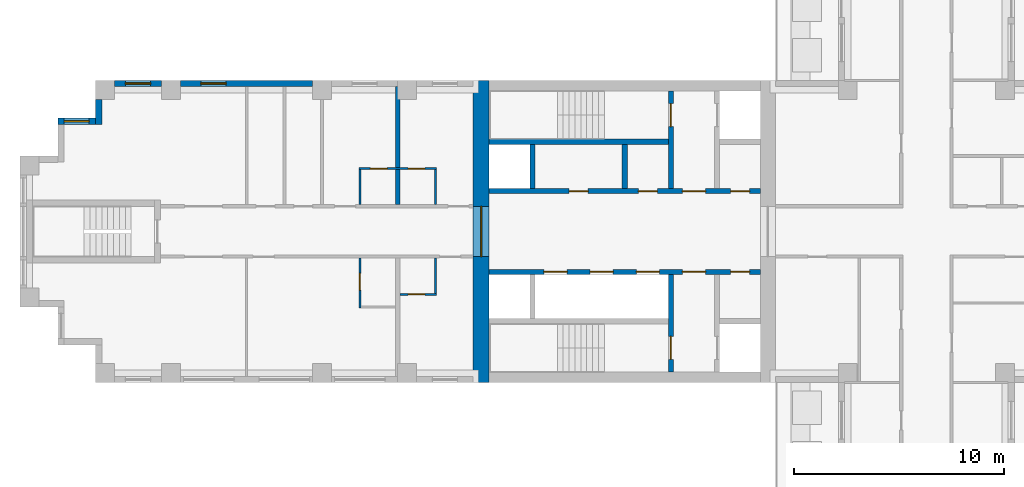
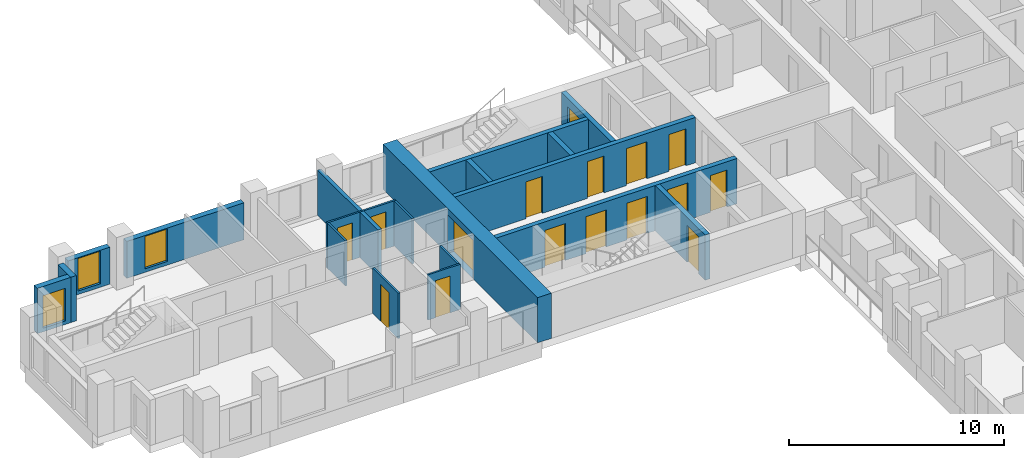
# One storey, part 6 of 15: 19 walls, 16 doors, 3 windows, 19 openings.
"""IFC4 building model written with IfcOpenShell, lengths in metres."""

from ifc_helpers import new_model, si_unit, direction, frame, frame_2d, origin, place, context, subcontext, project, spatial, rectangle, extrude, material, layer, layer_set, type_object, element, fill, save


model = new_model("IFC4")

# Units and contexts
model_context = context("Model", 3, precision=1e-05, world=origin(), true_north=direction((0.0, 1.0)))
body_context = subcontext(model_context, "Body", "Model", "MODEL_VIEW")
ifc_project = project(units=[si_unit("LENGTHUNIT", "METRE"), si_unit("AREAUNIT", "SQUARE_METRE"), si_unit("VOLUMEUNIT", "CUBIC_METRE"), si_unit("PLANEANGLEUNIT", "RADIAN"), si_unit("MASSUNIT", "GRAM", prefix="KILO")], contexts=[model_context])

# Site, building, storey
site_placement = place(None, origin())
site = spatial("IfcSite", under=ifc_project, at=site_placement, CompositionType="ELEMENT")
building_placement = place(site_placement, origin())
building = spatial("IfcBuilding", under=site, at=building_placement, Name="Fustian Cross Tower", CompositionType="ELEMENT")
storey_placement = place(building_placement, frame((0.0, 0.0, 47.699951171875)))
storey = spatial("IfcBuildingStorey", under=building, at=storey_placement, Name="L14", CompositionType="ELEMENT", Elevation=47.699951171875)

# Wall, opening, door
ifc_material_1 = material(Name="Concrete C80/95", Category="concrete")
ifc_layer_1 = layer(ifc_material_1, 0.75)
ifc_layer_set_1 = layer_set([ifc_layer_1], Name="Concrete C80/95")
wall_type_1 = type_object("IfcWallType", Name="CORE END WALL 750 C80/95", PredefinedType="SHEAR", material=ifc_layer_set_1)
wall_1_placement = place(storey_placement, frame((-21.22509765625, -7.199951171875, 0.0), z_axis=(0.0, 0.0, 1.0), x_axis=(0.0, 1.0, 0.0)))
wall_1 = element("IfcWall", 1, at=wall_1_placement, inside=storey, type_object=wall_type_1, Name="Core end wall", PredefinedType="SHEAR", context=body_context, shape_type="SweptSolid", body=[
    extrude(rectangle(XDim=14.39990234375, YDim=0.75, at=frame_2d((7.199951171875, 0.0))), origin(), (0.0, 0.0, 1.0), 2.574951171875),
])
opening_1_placement = place(wall_1_placement, frame((6.0, 0.0, 0.0)))
opening_1 = element("IfcOpeningElement", 2, at=opening_1_placement, cuts=wall_1, Name="Opening CD-05-28", PredefinedType="OPENING", context=body_context, shape_type="SweptSolid", body=[
    extrude(rectangle(XDim=2.39990234375, YDim=2.199951171875, at=frame_2d((1.199951171875, 1.10009765625))), frame((0.0, 0.385009765625, 0.0), z_axis=(0.0, -1.0, 0.0), x_axis=(1.0, 0.0, 0.0)), (0.0, 0.0, 1.0), 0.77001953125),
])
ifc_material_2 = material(Name="Steel", Category="steel")
door_type_1 = type_object("IfcDoorType", Name="FIRE DOOR FD30S DOUBLE 2400X2200", OperationType="DOUBLE_DOOR_DOUBLE_SWING", PredefinedType="DOOR", material=ifc_material_2)
door_1_placement = place(opening_1_placement, frame((2.39990234375, 0.0, 0.0), z_axis=(0.0, 0.0, 1.0), x_axis=(-1.0, 0.0, 0.0)))
door_1 = element("IfcDoor", 3, at=door_1_placement, inside=storey, type_object=door_type_1, Name="Core door CD-05-28", OperationType="DOUBLE_DOOR_DOUBLE_SWING", OverallHeight=2.199951171875, OverallWidth=2.39990234375, PredefinedType="DOOR", context=body_context, shape_type="SweptSolid", body=[
    extrude(rectangle(XDim=2.39990234375, YDim=2.199951171875, at=frame_2d((1.199951171875, 1.10009765625))), frame((0.0, 0.02490234375, 0.0), z_axis=(0.0, -1.0, 0.0), x_axis=(1.0, 0.0, 0.0)), (0.0, 0.0, 1.0), 0.050048828125),
])
fill(opening_1, door_1)

# Wall, openings, doors
ifc_material_3 = material(Name="Concrete C50/60", Category="concrete")
ifc_layer_2 = layer(ifc_material_3, 0.25)
ifc_layer_set_2 = layer_set([ifc_layer_2], Name="Concrete C50/60")
wall_type_2 = type_object("IfcWallType", Name="CORE LOBBY WALL 250 C50/60", PredefinedType="SHEAR", material=ifc_layer_set_2)
wall_2_placement = place(storey_placement, frame((-7.89990234375, 1.925048828125, 0.0), z_axis=(0.0, 0.0, 1.0), x_axis=(-1.0, 0.0, 0.0)))
wall_2 = element("IfcWall", 4, at=wall_2_placement, inside=storey, type_object=wall_type_2, Name="Core lobby wall", PredefinedType="SHEAR", context=body_context, shape_type="SweptSolid", body=[
    extrude(rectangle(XDim=12.9501953125, YDim=0.25, at=frame_2d((6.47509765625, 0.0))), origin(), (0.0, 0.0, 1.0), 2.574951171875),
])
opening_2_placement = place(wall_2_placement, frame((0.52490234375, 0.0, 0.0)))
opening_2 = element("IfcOpeningElement", 5, at=opening_2_placement, cuts=wall_2, Name="Opening CD-05-23", PredefinedType="OPENING", context=body_context, shape_type="SweptSolid", body=[
    extrude(rectangle(XDim=0.89990234375, YDim=2.10009765625, at=frame_2d((0.449951171875, 1.050048828125))), frame((0.0, 0.135009765625, 0.0), z_axis=(0.0, -1.0, 0.0), x_axis=(1.0, 0.0, 0.0)), (0.0, 0.0, 1.0), 0.27001953125),
])
opening_3_placement = place(wall_2_placement, frame((2.625, 0.0, 0.0)))
opening_3 = element("IfcOpeningElement", 6, at=opening_3_placement, cuts=wall_2, Name="Opening CD-05-25", PredefinedType="OPENING", context=body_context, shape_type="SweptSolid", body=[
    extrude(rectangle(XDim=1.10009765625, YDim=2.10009765625, at=frame_2d((0.550048828125, 1.050048828125))), frame((0.0, 0.135009765625, 0.0), z_axis=(0.0, -1.0, 0.0), x_axis=(1.0, 0.0, 0.0)), (0.0, 0.0, 1.0), 0.27001953125),
])
opening_4_placement = place(wall_2_placement, frame((4.925048828125, 0.0, 0.0)))
opening_4 = element("IfcOpeningElement", 7, at=opening_4_placement, cuts=wall_2, Name="Opening CD-05-29", PredefinedType="OPENING", context=body_context, shape_type="SweptSolid", body=[
    extrude(rectangle(XDim=0.89990234375, YDim=2.10009765625, at=frame_2d((0.449951171875, 1.050048828125))), frame((0.0, 0.135009765625, 0.0), z_axis=(0.0, -1.0, 0.0), x_axis=(1.0, 0.0, 0.0)), (0.0, 0.0, 1.0), 0.27001953125),
])
opening_5_placement = place(wall_2_placement, frame((8.22509765625, 0.0, 0.0)))
opening_5 = element("IfcOpeningElement", 8, at=opening_5_placement, cuts=wall_2, Name="Opening CD-05-30", PredefinedType="OPENING", context=body_context, shape_type="SweptSolid", body=[
    extrude(rectangle(XDim=0.89990234375, YDim=2.10009765625, at=frame_2d((0.449951171875, 1.050048828125))), frame((0.0, 0.135009765625, 0.0), z_axis=(0.0, -1.0, 0.0), x_axis=(1.0, 0.0, 0.0)), (0.0, 0.0, 1.0), 0.27001953125),
])
ifc_material_4 = material(Name="Steel", Category="steel")
door_type_2 = type_object("IfcDoorType", Name="FIRE DOOR FD30S 900X2100", OperationType="SINGLE_SWING_LEFT", PredefinedType="DOOR", material=ifc_material_4)
door_2_placement = place(opening_4_placement, frame((0.89990234375, 0.0, 0.0), z_axis=(0.0, 0.0, 1.0), x_axis=(-1.0, 0.0, 0.0)))
door_2 = element("IfcDoor", 9, at=door_2_placement, inside=storey, type_object=door_type_2, Name="Core door CD-05-29", OperationType="SINGLE_SWING_RIGHT", OverallHeight=2.10009765625, OverallWidth=0.89990234375, PredefinedType="DOOR", context=body_context, shape_type="SweptSolid", body=[
    extrude(rectangle(XDim=0.89990234375, YDim=2.10009765625, at=frame_2d((0.449951171875, 1.050048828125))), frame((0.0, 0.02490234375, 0.0), z_axis=(0.0, -1.0, 0.0), x_axis=(1.0, 0.0, 0.0)), (0.0, 0.0, 1.0), 0.050048828125),
])
fill(opening_4, door_2)
door_3_placement = place(opening_5_placement, frame((0.89990234375, 0.0, 0.0), z_axis=(0.0, 0.0, 1.0), x_axis=(-1.0, 0.0, 0.0)))
door_3 = element("IfcDoor", 10, at=door_3_placement, inside=storey, type_object=door_type_2, Name="Core door CD-05-30", OperationType="SINGLE_SWING_LEFT", OverallHeight=2.10009765625, OverallWidth=0.89990234375, PredefinedType="DOOR", context=body_context, shape_type="SweptSolid", body=[
    extrude(rectangle(XDim=0.89990234375, YDim=2.10009765625, at=frame_2d((0.449951171875, 1.050048828125))), frame((0.0, 0.02490234375, 0.0), z_axis=(0.0, -1.0, 0.0), x_axis=(1.0, 0.0, 0.0)), (0.0, 0.0, 1.0), 0.050048828125),
])
fill(opening_5, door_3)
ifc_material_5 = material(Name="Steel", Category="steel")
door_type_3 = type_object("IfcDoorType", Name="FIRE DOOR FD60S 1100X2100", OperationType="SINGLE_SWING_LEFT", PredefinedType="DOOR", material=ifc_material_5)
door_4_placement = place(opening_3_placement, frame((1.10009765625, 0.0, 0.0), z_axis=(0.0, 0.0, 1.0), x_axis=(-1.0, 0.0, 0.0)))
door_4 = element("IfcDoor", 11, at=door_4_placement, inside=storey, type_object=door_type_3, Name="Core door CD-05-25", OperationType="SINGLE_SWING_RIGHT", OverallHeight=2.10009765625, OverallWidth=1.10009765625, PredefinedType="DOOR", context=body_context, shape_type="SweptSolid", body=[
    extrude(rectangle(XDim=1.10009765625, YDim=2.10009765625, at=frame_2d((0.550048828125, 1.050048828125))), frame((0.0, 0.02490234375, 0.0), z_axis=(0.0, -1.0, 0.0), x_axis=(1.0, 0.0, 0.0)), (0.0, 0.0, 1.0), 0.050048828125),
])
fill(opening_3, door_4)
ifc_material_6 = material(Name="Steel", Category="steel")
door_type_4 = type_object("IfcDoorType", Name="FIRE DOOR FD60S 900X2100", OperationType="SINGLE_SWING_LEFT", PredefinedType="DOOR", material=ifc_material_6)
door_5_placement = place(opening_2_placement, frame((0.89990234375, 0.0, 0.0), z_axis=(0.0, 0.0, 1.0), x_axis=(-1.0, 0.0, 0.0)))
door_5 = element("IfcDoor", 12, at=door_5_placement, inside=storey, type_object=door_type_4, Name="Core door CD-05-23", OperationType="SINGLE_SWING_RIGHT", OverallHeight=2.10009765625, OverallWidth=0.89990234375, PredefinedType="DOOR", context=body_context, shape_type="SweptSolid", body=[
    extrude(rectangle(XDim=0.89990234375, YDim=2.10009765625, at=frame_2d((0.449951171875, 1.050048828125))), frame((0.0, 0.02490234375, 0.0), z_axis=(0.0, -1.0, 0.0), x_axis=(1.0, 0.0, 0.0)), (0.0, 0.0, 1.0), 0.050048828125),
])
fill(opening_2, door_5)

wall_3_placement = place(storey_placement, frame((-7.89990234375, -1.925048828125, 0.0), z_axis=(0.0, 0.0, 1.0), x_axis=(-1.0, 0.0, 0.0)))
wall_3 = element("IfcWall", 13, at=wall_3_placement, inside=storey, type_object=wall_type_2, Name="Core lobby wall", PredefinedType="SHEAR", context=body_context, shape_type="SweptSolid", body=[
    extrude(rectangle(XDim=12.9501953125, YDim=0.25, at=frame_2d((6.47509765625, 0.0))), origin(), (0.0, 0.0, 1.0), 2.574951171875),
])
opening_6_placement = place(wall_3_placement, frame((4.824951171875, 0.0, 0.0)))
opening_6 = element("IfcOpeningElement", 14, at=opening_6_placement, cuts=wall_3, Name="Opening LD", PredefinedType="OPENING", context=body_context, shape_type="SweptSolid", body=[
    extrude(rectangle(XDim=1.10009765625, YDim=2.10009765625, at=frame_2d((0.550048828125, 1.050048828125))), frame((0.0, 0.135009765625, 0.0), z_axis=(0.0, -1.0, 0.0), x_axis=(1.0, 0.0, 0.0)), (0.0, 0.0, 1.0), 0.27001953125),
])
opening_7_placement = place(wall_3_placement, frame((7.02490234375, 0.0, 0.0)))
opening_7 = element("IfcOpeningElement", 15, at=opening_7_placement, cuts=wall_3, Name="Opening LD", PredefinedType="OPENING", context=body_context, shape_type="SweptSolid", body=[
    extrude(rectangle(XDim=1.10009765625, YDim=2.10009765625, at=frame_2d((0.550048828125, 1.050048828125))), frame((0.0, 0.135009765625, 0.0), z_axis=(0.0, -1.0, 0.0), x_axis=(1.0, 0.0, 0.0)), (0.0, 0.0, 1.0), 0.27001953125),
])
opening_8_placement = place(wall_3_placement, frame((9.22509765625, 0.0, 0.0)))
opening_8 = element("IfcOpeningElement", 16, at=opening_8_placement, cuts=wall_3, Name="Opening LD", PredefinedType="OPENING", context=body_context, shape_type="SweptSolid", body=[
    extrude(rectangle(XDim=1.10009765625, YDim=2.10009765625, at=frame_2d((0.550048828125, 1.050048828125))), frame((0.0, 0.135009765625, 0.0), z_axis=(0.0, -1.0, 0.0), x_axis=(1.0, 0.0, 0.0)), (0.0, 0.0, 1.0), 0.27001953125),
])
opening_9_placement = place(wall_3_placement, frame((0.52490234375, 0.0, 0.0)))
opening_9 = element("IfcOpeningElement", 17, at=opening_9_placement, cuts=wall_3, Name="Opening CD-05-24", PredefinedType="OPENING", context=body_context, shape_type="SweptSolid", body=[
    extrude(rectangle(XDim=0.89990234375, YDim=2.10009765625, at=frame_2d((0.449951171875, 1.050048828125))), frame((0.0, 0.135009765625, 0.0), z_axis=(0.0, -1.0, 0.0), x_axis=(1.0, 0.0, 0.0)), (0.0, 0.0, 1.0), 0.27001953125),
])
opening_10_placement = place(wall_3_placement, frame((2.625, 0.0, 0.0)))
opening_10 = element("IfcOpeningElement", 18, at=opening_10_placement, cuts=wall_3, Name="Opening CD-05-26", PredefinedType="OPENING", context=body_context, shape_type="SweptSolid", body=[
    extrude(rectangle(XDim=1.10009765625, YDim=2.10009765625, at=frame_2d((0.550048828125, 1.050048828125))), frame((0.0, 0.135009765625, 0.0), z_axis=(0.0, -1.0, 0.0), x_axis=(1.0, 0.0, 0.0)), (0.0, 0.0, 1.0), 0.27001953125),
])
ifc_material_7 = material(Name="Steel", Category="steel")
door_type_5 = type_object("IfcDoorType", Name="FIRE DOOR FD30S 1100X2100", OperationType="SINGLE_SWING_LEFT", PredefinedType="DOOR", material=ifc_material_7)
door_6_placement = place(opening_10_placement, frame((1.10009765625, 0.0, 0.0), z_axis=(0.0, 0.0, 1.0), x_axis=(-1.0, 0.0, 0.0)))
door_6 = element("IfcDoor", 19, at=door_6_placement, inside=storey, type_object=door_type_5, Name="Core door CD-05-26", OperationType="SINGLE_SWING_RIGHT", OverallHeight=2.10009765625, OverallWidth=1.10009765625, PredefinedType="DOOR", context=body_context, shape_type="SweptSolid", body=[
    extrude(rectangle(XDim=1.10009765625, YDim=2.10009765625, at=frame_2d((0.550048828125, 1.050048828125))), frame((0.0, 0.02490234375, 0.0), z_axis=(0.0, -1.0, 0.0), x_axis=(1.0, 0.0, 0.0)), (0.0, 0.0, 1.0), 0.050048828125),
])
fill(opening_10, door_6)
door_7_placement = place(opening_9_placement, origin())
door_7 = element("IfcDoor", 20, at=door_7_placement, inside=storey, type_object=door_type_2, Name="Core door CD-05-24", OperationType="SINGLE_SWING_LEFT", OverallHeight=2.10009765625, OverallWidth=0.89990234375, PredefinedType="DOOR", context=body_context, shape_type="SweptSolid", body=[
    extrude(rectangle(XDim=0.89990234375, YDim=2.10009765625, at=frame_2d((0.449951171875, 1.050048828125))), frame((0.0, 0.02490234375, 0.0), z_axis=(0.0, -1.0, 0.0), x_axis=(1.0, 0.0, 0.0)), (0.0, 0.0, 1.0), 0.050048828125),
])
fill(opening_9, door_7)
ifc_material_8 = material(Name="Stainless steel", Category="steel")
door_type_6 = type_object("IfcDoorType", Name="LIFT LANDING DOOR 1100X2100", OperationType="SLIDING_TO_LEFT", PredefinedType="DOOR", material=ifc_material_8)
door_8_placement = place(opening_6_placement, origin())
door_8 = element("IfcDoor", 21, at=door_8_placement, inside=storey, type_object=door_type_6, Name="Landing door LR1W", OperationType="SLIDING_TO_LEFT", OverallHeight=2.10009765625, OverallWidth=1.10009765625, PredefinedType="DOOR", context=body_context, shape_type="SweptSolid", body=[
    extrude(rectangle(XDim=1.10009765625, YDim=2.10009765625, at=frame_2d((0.550048828125, 1.050048828125))), frame((0.0, 0.02490234375, 0.0), z_axis=(0.0, -1.0, 0.0), x_axis=(1.0, 0.0, 0.0)), (0.0, 0.0, 1.0), 0.050048828125),
])
fill(opening_6, door_8)
door_9_placement = place(opening_7_placement, origin())
door_9 = element("IfcDoor", 22, at=door_9_placement, inside=storey, type_object=door_type_6, Name="Landing door LR2W", OperationType="SLIDING_TO_LEFT", OverallHeight=2.10009765625, OverallWidth=1.10009765625, PredefinedType="DOOR", context=body_context, shape_type="SweptSolid", body=[
    extrude(rectangle(XDim=1.10009765625, YDim=2.10009765625, at=frame_2d((0.550048828125, 1.050048828125))), frame((0.0, 0.02490234375, 0.0), z_axis=(0.0, -1.0, 0.0), x_axis=(1.0, 0.0, 0.0)), (0.0, 0.0, 1.0), 0.050048828125),
])
fill(opening_7, door_9)
door_10_placement = place(opening_8_placement, origin())
door_10 = element("IfcDoor", 23, at=door_10_placement, inside=storey, type_object=door_type_6, Name="Landing door LR3W", OperationType="SLIDING_TO_LEFT", OverallHeight=2.10009765625, OverallWidth=1.10009765625, PredefinedType="DOOR", context=body_context, shape_type="SweptSolid", body=[
    extrude(rectangle(XDim=1.10009765625, YDim=2.10009765625, at=frame_2d((0.550048828125, 1.050048828125))), frame((0.0, 0.02490234375, 0.0), z_axis=(0.0, -1.0, 0.0), x_axis=(1.0, 0.0, 0.0)), (0.0, 0.0, 1.0), 0.050048828125),
])
fill(opening_8, door_10)

# Wall
ifc_material_9 = material(Name="Concrete C50/60", Category="concrete")
ifc_layer_3 = layer(ifc_material_9, 0.25)
ifc_layer_set_3 = layer_set([ifc_layer_3], Name="Concrete C50/60")
wall_type_3 = type_object("IfcWallType", Name="CORE SHAFT WALL 250 C50/60", PredefinedType="SHEAR", material=ifc_layer_set_3)
wall_4_placement = place(storey_placement, frame((-12.300048828125, 4.27490234375, 0.0), z_axis=(0.0, 0.0, 1.0), x_axis=(-1.0, 0.0, 0.0)))
element("IfcWall", 24, at=wall_4_placement, inside=storey, type_object=wall_type_3, Name="Core shaft wall", PredefinedType="SHEAR", context=body_context, shape_type="SweptSolid", body=[
    extrude(rectangle(XDim=8.550048828125, YDim=0.25, at=frame_2d((4.27490234375, 0.0))), origin(), (0.0, 0.0, 1.0), 2.574951171875),
])

# Wall, opening, door
wall_5_placement = place(storey_placement, frame((-12.175048828125, 2.050048828125, 0.0), z_axis=(0.0, 0.0, 1.0), x_axis=(0.0, 1.0, 0.0)))
wall_5 = element("IfcWall", 25, at=wall_5_placement, inside=storey, type_object=wall_type_3, Name="Core shaft wall", PredefinedType="SHEAR", context=body_context, shape_type="SweptSolid", body=[
    extrude(rectangle(XDim=4.64990234375, YDim=0.25, at=frame_2d((2.324951171875, 0.0))), origin(), (0.0, 0.0, 1.0), 2.574951171875),
])
opening_11_placement = place(wall_5_placement, frame((2.949951171875, 0.0, 0.0)))
opening_11 = element("IfcOpeningElement", 26, at=opening_11_placement, cuts=wall_5, Name="Opening CD-05-21", PredefinedType="OPENING", context=body_context, shape_type="SweptSolid", body=[
    extrude(rectangle(XDim=1.10009765625, YDim=2.10009765625, at=frame_2d((0.550048828125, 1.050048828125))), frame((0.0, 0.135009765625, 0.0), z_axis=(0.0, -1.0, 0.0), x_axis=(1.0, 0.0, 0.0)), (0.0, 0.0, 1.0), 0.27001953125),
])
door_11_placement = place(opening_11_placement, origin())
door_11 = element("IfcDoor", 27, at=door_11_placement, inside=storey, type_object=door_type_3, Name="Core door CD-05-21", OperationType="SINGLE_SWING_LEFT", OverallHeight=2.10009765625, OverallWidth=1.10009765625, PredefinedType="DOOR", context=body_context, shape_type="SweptSolid", body=[
    extrude(rectangle(XDim=1.10009765625, YDim=2.10009765625, at=frame_2d((0.550048828125, 1.050048828125))), frame((0.0, 0.02490234375, 0.0), z_axis=(0.0, -1.0, 0.0), x_axis=(1.0, 0.0, 0.0)), (0.0, 0.0, 1.0), 0.050048828125),
])
fill(opening_11, door_11)

wall_6_placement = place(storey_placement, frame((-12.175048828125, -2.050048828125, 0.0), z_axis=(0.0, 0.0, 1.0), x_axis=(0.0, -1.0, 0.0)))
wall_6 = element("IfcWall", 28, at=wall_6_placement, inside=storey, type_object=wall_type_3, Name="Core shaft wall", PredefinedType="SHEAR", context=body_context, shape_type="SweptSolid", body=[
    extrude(rectangle(XDim=4.64990234375, YDim=0.25, at=frame_2d((2.324951171875, 0.0))), origin(), (0.0, 0.0, 1.0), 2.574951171875),
])
opening_12_placement = place(wall_6_placement, frame((2.949951171875, 0.0, 0.0)))
opening_12 = element("IfcOpeningElement", 29, at=opening_12_placement, cuts=wall_6, Name="Opening CD-05-22", PredefinedType="OPENING", context=body_context, shape_type="SweptSolid", body=[
    extrude(rectangle(XDim=1.10009765625, YDim=2.10009765625, at=frame_2d((0.550048828125, 1.050048828125))), frame((0.0, 0.135009765625, 0.0), z_axis=(0.0, -1.0, 0.0), x_axis=(1.0, 0.0, 0.0)), (0.0, 0.0, 1.0), 0.27001953125),
])
door_12_placement = place(opening_12_placement, frame((1.10009765625, 0.0, 0.0), z_axis=(0.0, 0.0, 1.0), x_axis=(-1.0, 0.0, 0.0)))
door_12 = element("IfcDoor", 30, at=door_12_placement, inside=storey, type_object=door_type_3, Name="Core door CD-05-22", OperationType="SINGLE_SWING_RIGHT", OverallHeight=2.10009765625, OverallWidth=1.10009765625, PredefinedType="DOOR", context=body_context, shape_type="SweptSolid", body=[
    extrude(rectangle(XDim=1.10009765625, YDim=2.10009765625, at=frame_2d((0.550048828125, 1.050048828125))), frame((0.0, 0.02490234375, 0.0), z_axis=(0.0, -1.0, 0.0), x_axis=(1.0, 0.0, 0.0)), (0.0, 0.0, 1.0), 0.050048828125),
])
fill(opening_12, door_12)

ifc_material_10 = material(Name="Plasterboard on steel stud", Category="steel")
ifc_layer_4 = layer(ifc_material_10, 0.10009765625)
ifc_layer_set_4 = layer_set([ifc_layer_4], Name="Plasterboard on steel stud")
wall_type_4 = type_object("IfcWallType", Name="PARTITION 100 STUD", PredefinedType="PARTITIONING", material=ifc_layer_set_4)
wall_7_placement = place(storey_placement, frame((-27.0, -3.64990234375, 0.0), z_axis=(0.0, 0.0, 1.0), x_axis=(0.0, 1.0, 0.0)))
wall_7 = element("IfcWall", 31, at=wall_7_placement, inside=storey, type_object=wall_type_4, Name="Partition 7", PredefinedType="PARTITIONING", context=body_context, shape_type="SweptSolid", body=[
    extrude(rectangle(XDim=2.375, YDim=0.10009765625, at=frame_2d((1.1875, 0.0))), origin(), (0.0, 0.0, 1.0), 2.574951171875),
])
opening_13_placement = place(wall_7_placement, frame((0.85009765625, 0.0, 0.0)))
opening_13 = element("IfcOpeningElement", 32, at=opening_13_placement, cuts=wall_7, Name="Opening D08038", PredefinedType="OPENING", context=body_context, shape_type="SweptSolid", body=[
    extrude(rectangle(XDim=0.800048828125, YDim=2.10009765625, at=frame_2d((0.39990234375, 1.050048828125))), frame((0.0, 0.06005859375, 0.0), z_axis=(0.0, -1.0, 0.0), x_axis=(1.0, 0.0, 0.0)), (0.0, 0.0, 1.0), 0.1201171875),
])
ifc_material_11 = material(Name="Painted timber", Category="wood")
door_type_7 = type_object("IfcDoorType", Name="SWING DOOR 800", OperationType="SINGLE_SWING_LEFT", PredefinedType="DOOR", material=ifc_material_11)
door_13_placement = place(opening_13_placement, frame((0.800048828125, 0.0, 0.0), z_axis=(0.0, 0.0, 1.0), x_axis=(-1.0, 0.0, 0.0)))
door_13 = element("IfcDoor", 33, at=door_13_placement, inside=storey, type_object=door_type_7, Name="Door D08038", OperationType="SINGLE_SWING_RIGHT", OverallHeight=2.10009765625, OverallWidth=0.800048828125, PredefinedType="DOOR", context=body_context, shape_type="SweptSolid", body=[
    extrude(rectangle(XDim=0.800048828125, YDim=2.10009765625, at=frame_2d((0.39990234375, 1.050048828125))), frame((0.0, 0.02490234375, 0.0), z_axis=(0.0, -1.0, 0.0), x_axis=(1.0, 0.0, 0.0)), (0.0, 0.0, 1.0), 0.050048828125),
])
fill(opening_13, door_13)

# Wall
wall_8_placement = place(storey_placement, frame((-27.0, 1.27490234375, 0.0), z_axis=(0.0, 0.0, 1.0), x_axis=(0.0, 1.0, 0.0)))
element("IfcWall", 34, at=wall_8_placement, inside=storey, type_object=wall_type_4, Name="Partition 9", PredefinedType="PARTITIONING", context=body_context, shape_type="SweptSolid", body=[
    extrude(rectangle(XDim=1.675048828125, YDim=0.10009765625, at=frame_2d((0.83740234375, 0.0))), origin(), (0.0, 0.0, 1.0), 2.574951171875),
])

# Wall, openings, doors
wall_9_placement = place(storey_placement, frame((-27.050048828125, 3.0, 0.0), z_axis=(0.0, 0.0, 1.0), x_axis=(1.0, 0.0, 0.0)))
wall_9 = element("IfcWall", 35, at=wall_9_placement, inside=storey, type_object=wall_type_4, Name="Partition 10", PredefinedType="PARTITIONING", context=body_context, shape_type="SweptSolid", body=[
    extrude(rectangle(XDim=3.699951171875, YDim=0.10009765625, at=frame_2d((1.85009765625, 0.0))), origin(), (0.0, 0.0, 1.0), 2.574951171875),
])
opening_14_placement = place(wall_9_placement, frame((2.35009765625, 0.0, 0.0)))
opening_14 = element("IfcOpeningElement", 36, at=opening_14_placement, cuts=wall_9, Name="Opening D08041", PredefinedType="OPENING", context=body_context, shape_type="SweptSolid", body=[
    extrude(rectangle(XDim=0.800048828125, YDim=2.10009765625, at=frame_2d((0.39990234375, 1.050048828125))), frame((0.0, 0.06005859375, 0.0), z_axis=(0.0, -1.0, 0.0), x_axis=(1.0, 0.0, 0.0)), (0.0, 0.0, 1.0), 0.1201171875),
])
opening_15_placement = place(wall_9_placement, frame((0.550048828125, 0.0, 0.0)))
opening_15 = element("IfcOpeningElement", 37, at=opening_15_placement, cuts=wall_9, Name="Opening D08043", PredefinedType="OPENING", context=body_context, shape_type="SweptSolid", body=[
    extrude(rectangle(XDim=0.800048828125, YDim=2.10009765625, at=frame_2d((0.39990234375, 1.050048828125))), frame((0.0, 0.06005859375, 0.0), z_axis=(0.0, -1.0, 0.0), x_axis=(1.0, 0.0, 0.0)), (0.0, 0.0, 1.0), 0.1201171875),
])
door_14_placement = place(opening_14_placement, frame((0.800048828125, 0.0, 0.0), z_axis=(0.0, 0.0, 1.0), x_axis=(-1.0, 0.0, 0.0)))
door_14 = element("IfcDoor", 38, at=door_14_placement, inside=storey, type_object=door_type_7, Name="Door D08041", OperationType="SINGLE_SWING_LEFT", OverallHeight=2.10009765625, OverallWidth=0.800048828125, PredefinedType="DOOR", context=body_context, shape_type="SweptSolid", body=[
    extrude(rectangle(XDim=0.800048828125, YDim=2.10009765625, at=frame_2d((0.39990234375, 1.050048828125))), frame((0.0, 0.02490234375, 0.0), z_axis=(0.0, -1.0, 0.0), x_axis=(1.0, 0.0, 0.0)), (0.0, 0.0, 1.0), 0.050048828125),
])
fill(opening_14, door_14)
door_15_placement = place(opening_15_placement, frame((0.800048828125, 0.0, 0.0), z_axis=(0.0, 0.0, 1.0), x_axis=(-1.0, 0.0, 0.0)))
door_15 = element("IfcDoor", 39, at=door_15_placement, inside=storey, type_object=door_type_7, Name="Door D08043", OperationType="SINGLE_SWING_LEFT", OverallHeight=2.10009765625, OverallWidth=0.800048828125, PredefinedType="DOOR", context=body_context, shape_type="SweptSolid", body=[
    extrude(rectangle(XDim=0.800048828125, YDim=2.10009765625, at=frame_2d((0.39990234375, 1.050048828125))), frame((0.0, 0.02490234375, 0.0), z_axis=(0.0, -1.0, 0.0), x_axis=(1.0, 0.0, 0.0)), (0.0, 0.0, 1.0), 0.050048828125),
])
fill(opening_15, door_15)

# Wall, opening, door
wall_10_placement = place(storey_placement, frame((-25.10009765625, -3.0, 0.0), z_axis=(0.0, 0.0, 1.0), x_axis=(1.0, 0.0, 0.0)))
wall_10 = element("IfcWall", 40, at=wall_10_placement, inside=storey, type_object=wall_type_4, Name="Partition 12", PredefinedType="PARTITIONING", context=body_context, shape_type="SweptSolid", body=[
    extrude(rectangle(XDim=1.75, YDim=0.10009765625, at=frame_2d((0.875, 0.0))), origin(), (0.0, 0.0, 1.0), 2.574951171875),
])
opening_16_placement = place(wall_10_placement, frame((0.39990234375, 0.0, 0.0)))
opening_16 = element("IfcOpeningElement", 41, at=opening_16_placement, cuts=wall_10, Name="Opening D08036", PredefinedType="OPENING", context=body_context, shape_type="SweptSolid", body=[
    extrude(rectangle(XDim=0.800048828125, YDim=2.10009765625, at=frame_2d((0.39990234375, 1.050048828125))), frame((0.0, 0.06005859375, 0.0), z_axis=(0.0, -1.0, 0.0), x_axis=(1.0, 0.0, 0.0)), (0.0, 0.0, 1.0), 0.1201171875),
])
door_16_placement = place(opening_16_placement, origin())
door_16 = element("IfcDoor", 42, at=door_16_placement, inside=storey, type_object=door_type_7, Name="Door D08036", OperationType="SINGLE_SWING_RIGHT", OverallHeight=2.10009765625, OverallWidth=0.800048828125, PredefinedType="DOOR", context=body_context, shape_type="SweptSolid", body=[
    extrude(rectangle(XDim=0.800048828125, YDim=2.10009765625, at=frame_2d((0.39990234375, 1.050048828125))), frame((0.0, 0.02490234375, 0.0), z_axis=(0.0, -1.0, 0.0), x_axis=(1.0, 0.0, 0.0)), (0.0, 0.0, 1.0), 0.050048828125),
])
fill(opening_16, door_16)

# Walls
for number, where, z_axis, x_axis, name in (
    (43, (-23.39990234375, -2.949951171875, 0.0), (0.0, 0.0, 1.0), (0.0, 1.0, 0.0), "Partition 14"),
    (44, (-23.39990234375, 1.27490234375, 0.0), (0.0, 0.0, 1.0), (0.0, 1.0, 0.0), "Partition 15"),
):
    element("IfcWall", number, at=place(storey_placement, frame(where, z_axis=z_axis, x_axis=x_axis)), inside=storey, type_object=wall_type_4, Name=name, PredefinedType="PARTITIONING", context=body_context, shape_type="SweptSolid", body=[
        extrude(rectangle(XDim=1.675048828125, YDim=0.10009765625, at=frame_2d((0.83740234375, 0.0))), origin(), (0.0, 0.0, 1.0), 2.574951171875),
    ])
ifc_material_12 = material(Name="Plasterboard on steel stud", Category="steel")
ifc_layer_5 = layer(ifc_material_12, 0.199951171875)
ifc_layer_set_5 = layer_set([ifc_layer_5], Name="Plasterboard on steel stud")
wall_type_5 = type_object("IfcWallType", Name="PARTY WALL 200 EI 60", PredefinedType="PARTITIONING", material=ifc_layer_set_5)
wall_11_placement = place(storey_placement, frame((-25.199951171875, 1.27490234375, 0.0), z_axis=(0.0, 0.0, 1.0), x_axis=(0.0, 1.0, 0.0)))
element("IfcWall", 45, at=wall_11_placement, inside=storey, type_object=wall_type_5, Name="Partition 13", PredefinedType="PARTITIONING", context=body_context, shape_type="SweptSolid", body=[
    extrude(rectangle(XDim=5.625, YDim=0.199951171875, at=frame_2d((2.8125, 0.0))), origin(), (0.0, 0.0, 1.0), 2.574951171875),
])
ifc_material_13 = material(Name="Concrete C40/50", Category="concrete")
ifc_layer_6 = layer(ifc_material_13, 0.25)
ifc_layer_set_6 = layer_set([ifc_layer_6], Name="Concrete C40/50")
wall_type_6 = type_object("IfcWallType", Name="SHAFT PARTITION WALL 250 C40/50", PredefinedType="PARTITIONING", material=ifc_layer_set_6)
for number, where, z_axis, x_axis, name in (
    (46, (-14.375, 2.050048828125, 0.0), (0.0, 0.0, 1.0), (0.0, 1.0, 0.0), "Core shaft wall"),
    (47, (-18.77490234375, 2.050048828125, 0.0), (0.0, 0.0, 1.0), (0.0, 1.0, 0.0), "Core shaft wall"),
):
    element("IfcWall", number, at=place(storey_placement, frame(where, z_axis=z_axis, x_axis=x_axis)), inside=storey, type_object=wall_type_6, Name=name, PredefinedType="PARTITIONING", context=body_context, shape_type="SweptSolid", body=[
        extrude(rectangle(XDim=2.099853515625, YDim=0.25, at=frame_2d((1.0498046875, 0.0))), origin(), (0.0, 0.0, 1.0), 2.574951171875),
    ])

# Wall, opening, window
ifc_material_14 = material(Name="Dark aluminium cladding on insulated backing wall", Category="aluminium")
ifc_layer_7 = layer(ifc_material_14, 0.300048828125)
ifc_layer_set_7 = layer_set([ifc_layer_7], Name="Dark aluminium cladding on insulated backing wall")
wall_type_7 = type_object("IfcWallType", Name="XW1 EXTERNAL WALL 300", PredefinedType="SOLIDWALL", material=ifc_layer_set_7)
wall_12_placement = place(storey_placement, frame((-29.25, 7.050048828125, 0.0), z_axis=(0.0, 0.0, 1.0), x_axis=(-1.0, 0.0, 0.0)))
wall_12 = element("IfcWall", 48, at=wall_12_placement, inside=storey, type_object=wall_type_7, Name="External wall", PredefinedType="SOLIDWALL", context=body_context, shape_type="SweptSolid", body=[
    extrude(rectangle(XDim=6.300048828125, YDim=0.300048828125, at=frame_2d((3.14990234375, 0.0))), origin(), (0.0, 0.0, 1.0), 2.10009765625),
])
opening_17_placement = place(wall_12_placement, frame((4.125, 0.0, 0.199951171875)))
opening_17 = element("IfcOpeningElement", 49, at=opening_17_placement, cuts=wall_12, Name="Opening WN3", PredefinedType="OPENING", context=body_context, shape_type="SweptSolid", body=[
    extrude(rectangle(XDim=1.199951171875, YDim=1.85009765625, at=frame_2d((0.60009765625, 0.925048828125))), frame((0.0, 0.159912109375, 0.0), z_axis=(0.0, -1.0, 0.0), x_axis=(1.0, 0.0, 0.0)), (0.0, 0.0, 1.0), 0.320068359375),
])
ifc_material_15 = material(Name="Dark anodised aluminium and double glazing", Category="aluminium")
window_type = type_object("IfcWindowType", Name="WN3 WINDOW 1200X1850", PartitioningType="SINGLE_PANEL", PredefinedType="WINDOW", material=ifc_material_15)
window_1_placement = place(opening_17_placement, origin())
window_1 = element("IfcWindow", 50, at=window_1_placement, inside=storey, type_object=window_type, Name="Window", OverallHeight=1.85009765625, OverallWidth=1.199951171875, PartitioningType="SINGLE_PANEL", PredefinedType="WINDOW", context=body_context, shape_type="SweptSolid", body=[
    extrude(rectangle(XDim=1.199951171875, YDim=1.85009765625, at=frame_2d((0.60009765625, 0.925048828125))), frame((0.0, 0.030029296875, 0.0), z_axis=(0.0, -1.0, 0.0), x_axis=(1.0, 0.0, 0.0)), (0.0, 0.0, 1.0), 0.06005859375),
])
fill(opening_17, window_1)

wall_13_placement = place(storey_placement, frame((-36.449951171875, 7.050048828125, 0.0), z_axis=(0.0, 0.0, 1.0), x_axis=(-1.0, 0.0, 0.0)))
wall_13 = element("IfcWall", 51, at=wall_13_placement, inside=storey, type_object=wall_type_7, Name="External wall", PredefinedType="SOLIDWALL", context=body_context, shape_type="SweptSolid", body=[
    extrude(rectangle(XDim=2.25, YDim=0.300048828125, at=frame_2d((1.125, 0.0))), origin(), (0.0, 0.0, 1.0), 2.10009765625),
])
opening_18_placement = place(wall_13_placement, frame((0.52490234375, 0.0, 0.199951171875)))
opening_18 = element("IfcOpeningElement", 52, at=opening_18_placement, cuts=wall_13, Name="Opening WN3", PredefinedType="OPENING", context=body_context, shape_type="SweptSolid", body=[
    extrude(rectangle(XDim=1.199951171875, YDim=1.85009765625, at=frame_2d((0.60009765625, 0.925048828125))), frame((0.0, 0.159912109375, 0.0), z_axis=(0.0, -1.0, 0.0), x_axis=(1.0, 0.0, 0.0)), (0.0, 0.0, 1.0), 0.320068359375),
])
window_2_placement = place(opening_18_placement, origin())
window_2 = element("IfcWindow", 53, at=window_2_placement, inside=storey, type_object=window_type, Name="Window", OverallHeight=1.85009765625, OverallWidth=1.199951171875, PartitioningType="SINGLE_PANEL", PredefinedType="WINDOW", context=body_context, shape_type="SweptSolid", body=[
    extrude(rectangle(XDim=1.199951171875, YDim=1.85009765625, at=frame_2d((0.60009765625, 0.925048828125))), frame((0.0, 0.030029296875, 0.0), z_axis=(0.0, -1.0, 0.0), x_axis=(1.0, 0.0, 0.0)), (0.0, 0.0, 1.0), 0.06005859375),
])
fill(opening_18, window_2)

# Wall
wall_14_placement = place(storey_placement, frame((-39.449951171875, 6.300048828125, 0.0), z_axis=(0.0, 0.0, 1.0), x_axis=(0.0, -1.0, 0.0)))
element("IfcWall", 54, at=wall_14_placement, inside=storey, type_object=wall_type_7, Name="External wall", PredefinedType="SOLIDWALL", context=body_context, shape_type="SweptSolid", body=[
    extrude(rectangle(XDim=1.199951171875, YDim=0.300048828125, at=frame_2d((0.60009765625, 0.0))), origin(), (0.0, 0.0, 1.0), 2.574951171875),
])

# Wall, opening, window
wall_15_placement = place(storey_placement, frame((-39.60009765625, 5.25, 0.0), z_axis=(0.0, 0.0, 1.0), x_axis=(-1.0, 0.0, 0.0)))
wall_15 = element("IfcWall", 55, at=wall_15_placement, inside=storey, type_object=wall_type_7, Name="External wall", PredefinedType="SOLIDWALL", context=body_context, shape_type="SweptSolid", body=[
    extrude(rectangle(XDim=1.7998046875, YDim=0.300048828125, at=frame_2d((0.89990234375, 0.0))), origin(), (0.0, 0.0, 1.0), 2.574951171875),
])
opening_19_placement = place(wall_15_placement, frame((0.300048828125, 0.0, 0.199951171875)))
opening_19 = element("IfcOpeningElement", 56, at=opening_19_placement, cuts=wall_15, Name="Opening WN3", PredefinedType="OPENING", context=body_context, shape_type="SweptSolid", body=[
    extrude(rectangle(XDim=1.199951171875, YDim=1.85009765625, at=frame_2d((0.60009765625, 0.925048828125))), frame((0.0, 0.159912109375, 0.0), z_axis=(0.0, -1.0, 0.0), x_axis=(1.0, 0.0, 0.0)), (0.0, 0.0, 1.0), 0.320068359375),
])
window_3_placement = place(opening_19_placement, origin())
window_3 = element("IfcWindow", 57, at=window_3_placement, inside=storey, type_object=window_type, Name="Window", OverallHeight=1.85009765625, OverallWidth=1.199951171875, PartitioningType="SINGLE_PANEL", PredefinedType="WINDOW", context=body_context, shape_type="SweptSolid", body=[
    extrude(rectangle(XDim=1.199951171875, YDim=1.85009765625, at=frame_2d((0.60009765625, 0.925048828125))), frame((0.0, 0.030029296875, 0.0), z_axis=(0.0, -1.0, 0.0), x_axis=(1.0, 0.0, 0.0)), (0.0, 0.0, 1.0), 0.06005859375),
])
fill(opening_19, window_3)

save(model, "model.ifc")
